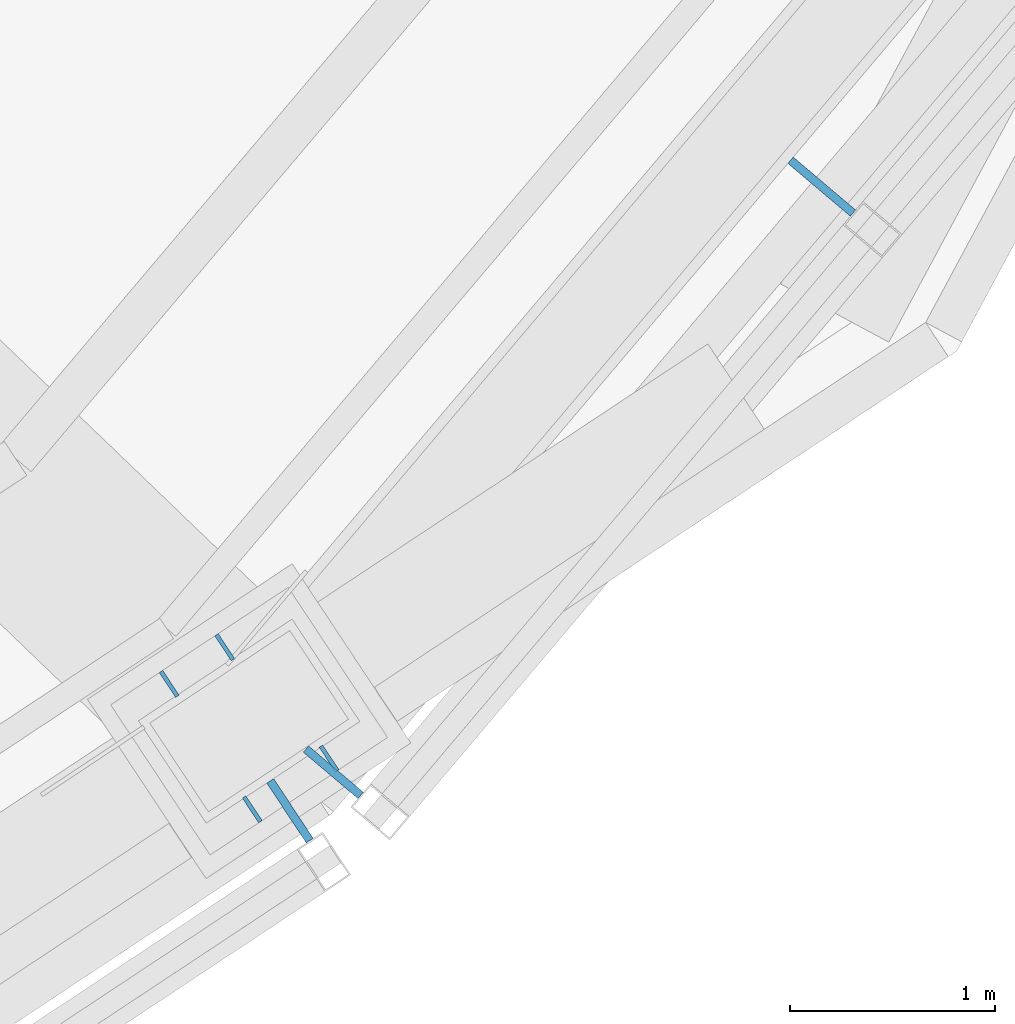
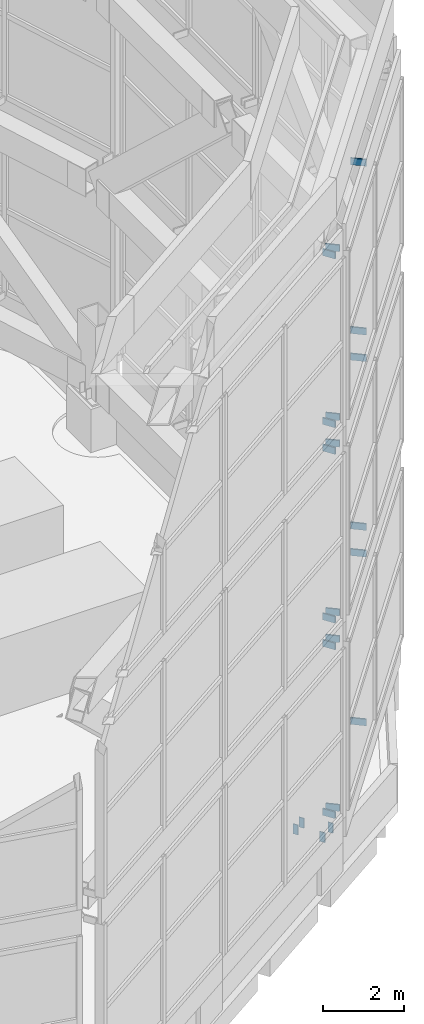
# One storey, part 35 of 46: 22 discrete accessories.
"""IFC4 building model written with IfcOpenShell, lengths in metres."""

from ifc_helpers import new_model, si_unit, direction, frame, origin, origin_2d, place, context, subcontext, project, spatial, rectangle, extrude, material, layer, layer_set, type_object, element, save


model = new_model("IFC4")

# Units and contexts
model_context = context("Model", 3, precision=1e-05, world=origin(), true_north=direction((0.0, 1.0)))
body_context = subcontext(model_context, "Body", "Model", "MODEL_VIEW")
ifc_project = project(units=[si_unit("LENGTHUNIT", "METRE"), si_unit("AREAUNIT", "SQUARE_METRE"), si_unit("VOLUMEUNIT", "CUBIC_METRE"), si_unit("PLANEANGLEUNIT", "RADIAN"), si_unit("MASSUNIT", "GRAM", prefix="KILO")], contexts=[model_context])

# Site, building, storey
site_placement = place(None, origin())
site = spatial("IfcSite", under=ifc_project, at=site_placement, CompositionType="ELEMENT")
building_placement = place(site_placement, origin())
building = spatial("IfcBuilding", under=site, at=building_placement, Name="Vanh Sen Convention Tower", CompositionType="ELEMENT")
storey_placement = place(building_placement, frame((0.0, 0.0, 305.0)))
storey = spatial("IfcBuildingStorey", under=building, at=storey_placement, Name="Roof level", CompositionType="ELEMENT", Elevation=305.0)

# Discrete accessories
ifc_material_1 = material(Name="Steel S355", Category="steel")
ifc_layer = layer(ifc_material_1, 0.02001953125)
ifc_layer_set = layer_set([ifc_layer], Name="Steel S355")
discrete_accessory_type_1 = type_object("IfcDiscreteAccessoryType", Name="Crown base plate stiffener 140 x 300 x 20", PredefinedType="USERDEFINED", material=ifc_layer_set)
for number, where, z_axis, x_axis, name in (
    (1, (13.77197265625, -12.989013671875, 1.34521484375), (0.0, 0.0, 1.0), (-0.551936985312, 0.833885822067, 0.0), "STIFFENER crown column 18 rib 1"),
    (2, (13.500732421875, -13.168212890625, 1.34521484375), (0.0, 0.0, 1.0), (-0.551936985312, 0.833885822067, 0.0), "STIFFENER crown column 18 rib 2"),
    (3, (14.28173828125, -13.532958984375, 1.34521484375), (0.0, 0.0, 1.0), (-0.551936985312, 0.833885822067, 0.0), "STIFFENER crown column 18 rib 3"),
    (4, (13.906494140625, -13.78125, 1.34521484375), (0.0, 0.0, 1.0), (-0.551936985312, 0.833885822067, 0.0), "STIFFENER crown column 18 rib 4"),
):
    element("IfcDiscreteAccessory", number, at=place(storey_placement, frame(where, z_axis=z_axis, x_axis=x_axis)), inside=storey, type_object=discrete_accessory_type_1, Name=name, ObjectType="STIFFENER", PredefinedType="USERDEFINED", context=body_context, shape_type="SweptSolid", body=[
        extrude(rectangle(XDim=0.14501953125, YDim=0.02001953125, at=origin_2d()), origin(), (0.0, 0.0, 1.0), 0.300048828125),
    ])
ifc_material_2 = material(Name="Steel S355", Category="steel")
discrete_accessory_type_2 = type_object("IfcDiscreteAccessoryType", Name="Crown screen bracket 40 x 200", PredefinedType="BRACKET", material=ifc_material_2)
for number, where, z_axis, x_axis, name in (
    (5, (14.0908203125, -13.7880859375, 2.044921875), (0.0, 0.0, 1.0), (0.551936985312, -0.833885822067, 0.0), "Crown screen bracket 17-1-3"),
    (6, (14.0908203125, -13.7880859375, 7.11328125), (0.0, 0.0, 1.0), (0.551936985312, -0.833885822067, 0.0), "Crown screen bracket 17-1-6"),
    (7, (14.0908203125, -13.7880859375, 7.9130859375), (0.0, 0.0, 1.0), (0.551936985312, -0.833885822067, 0.0), "Crown screen bracket 17-2-3"),
    (8, (14.0908203125, -13.7880859375, 12.98193359375), (0.0, 0.0, 1.0), (0.551936985312, -0.833885822067, 0.0), "Crown screen bracket 17-2-6"),
    (9, (14.0908203125, -13.7880859375, 13.78173828125), (0.0, 0.0, 1.0), (0.551936985312, -0.833885822067, 0.0), "Crown screen bracket 17-3-3"),
    (10, (14.0908203125, -13.7880859375, 18.85009765625), (0.0, 0.0, 1.0), (0.551936985312, -0.833885822067, 0.0), "Crown screen bracket 17-3-6"),
    (11, (14.302490234375, -13.60009765625, 2.044921875), (0.0, 0.0, 1.0), (0.763534609632, -0.64576690833, 0.0), "Crown screen bracket 18-1-1"),
):
    element("IfcDiscreteAccessory", number, at=place(storey_placement, frame(where, z_axis=z_axis, x_axis=x_axis)), inside=storey, type_object=discrete_accessory_type_2, Name=name, PredefinedType="BRACKET", context=body_context, shape_type="SweptSolid", body=[
        extrude(rectangle(XDim=0.35009765625, YDim=0.0400390625, at=origin_2d()), origin(), (0.0, 0.0, 1.0), 0.199951171875),
    ])
discrete_accessory_1_placement = place(storey_placement, frame((16.689208984375, -10.7392578125, 2.044921875), z_axis=(0.0, 0.0, 1.0), x_axis=(0.763534609632, -0.64576690833, 0.0)))
element("IfcDiscreteAccessory", 12, at=discrete_accessory_1_placement, inside=storey, type_object=discrete_accessory_type_2, Name="Crown screen bracket 18-1-2", PredefinedType="BRACKET", context=body_context, shape_type="SweptSolid", body=[
    extrude(rectangle(XDim=0.39990234375, YDim=0.0400390625, at=origin_2d()), origin(), (0.0, 0.0, 1.0), 0.199951171875),
])
discrete_accessory_2_placement = place(storey_placement, frame((14.302490234375, -13.60009765625, 7.11328125), z_axis=(0.0, 0.0, 1.0), x_axis=(0.763534609632, -0.64576690833, 0.0)))
element("IfcDiscreteAccessory", 13, at=discrete_accessory_2_placement, inside=storey, type_object=discrete_accessory_type_2, Name="Crown screen bracket 18-1-4", PredefinedType="BRACKET", context=body_context, shape_type="SweptSolid", body=[
    extrude(rectangle(XDim=0.35009765625, YDim=0.0400390625, at=origin_2d()), origin(), (0.0, 0.0, 1.0), 0.199951171875),
])
discrete_accessory_3_placement = place(storey_placement, frame((16.689208984375, -10.7392578125, 7.11328125), z_axis=(0.0, 0.0, 1.0), x_axis=(0.763534609632, -0.64576690833, 0.0)))
element("IfcDiscreteAccessory", 14, at=discrete_accessory_3_placement, inside=storey, type_object=discrete_accessory_type_2, Name="Crown screen bracket 18-1-5", PredefinedType="BRACKET", context=body_context, shape_type="SweptSolid", body=[
    extrude(rectangle(XDim=0.39990234375, YDim=0.0400390625, at=origin_2d()), origin(), (0.0, 0.0, 1.0), 0.199951171875),
])
discrete_accessory_4_placement = place(storey_placement, frame((14.302490234375, -13.60009765625, 7.9130859375), z_axis=(0.0, 0.0, 1.0), x_axis=(0.763534609632, -0.64576690833, 0.0)))
element("IfcDiscreteAccessory", 15, at=discrete_accessory_4_placement, inside=storey, type_object=discrete_accessory_type_2, Name="Crown screen bracket 18-2-1", PredefinedType="BRACKET", context=body_context, shape_type="SweptSolid", body=[
    extrude(rectangle(XDim=0.35009765625, YDim=0.0400390625, at=origin_2d()), origin(), (0.0, 0.0, 1.0), 0.199951171875),
])
discrete_accessory_5_placement = place(storey_placement, frame((16.689208984375, -10.7392578125, 7.9130859375), z_axis=(0.0, 0.0, 1.0), x_axis=(0.763534609632, -0.64576690833, 0.0)))
element("IfcDiscreteAccessory", 16, at=discrete_accessory_5_placement, inside=storey, type_object=discrete_accessory_type_2, Name="Crown screen bracket 18-2-2", PredefinedType="BRACKET", context=body_context, shape_type="SweptSolid", body=[
    extrude(rectangle(XDim=0.39990234375, YDim=0.0400390625, at=origin_2d()), origin(), (0.0, 0.0, 1.0), 0.199951171875),
])
discrete_accessory_6_placement = place(storey_placement, frame((14.302490234375, -13.60009765625, 12.98193359375), z_axis=(0.0, 0.0, 1.0), x_axis=(0.763534609632, -0.64576690833, 0.0)))
element("IfcDiscreteAccessory", 17, at=discrete_accessory_6_placement, inside=storey, type_object=discrete_accessory_type_2, Name="Crown screen bracket 18-2-4", PredefinedType="BRACKET", context=body_context, shape_type="SweptSolid", body=[
    extrude(rectangle(XDim=0.35009765625, YDim=0.0400390625, at=origin_2d()), origin(), (0.0, 0.0, 1.0), 0.199951171875),
])
discrete_accessory_7_placement = place(storey_placement, frame((16.689208984375, -10.7392578125, 12.98193359375), z_axis=(0.0, 0.0, 1.0), x_axis=(0.763534609632, -0.64576690833, 0.0)))
element("IfcDiscreteAccessory", 18, at=discrete_accessory_7_placement, inside=storey, type_object=discrete_accessory_type_2, Name="Crown screen bracket 18-2-5", PredefinedType="BRACKET", context=body_context, shape_type="SweptSolid", body=[
    extrude(rectangle(XDim=0.39990234375, YDim=0.0400390625, at=origin_2d()), origin(), (0.0, 0.0, 1.0), 0.199951171875),
])
discrete_accessory_8_placement = place(storey_placement, frame((14.302490234375, -13.60009765625, 13.78173828125), z_axis=(0.0, 0.0, 1.0), x_axis=(0.763534609632, -0.64576690833, 0.0)))
element("IfcDiscreteAccessory", 19, at=discrete_accessory_8_placement, inside=storey, type_object=discrete_accessory_type_2, Name="Crown screen bracket 18-3-1", PredefinedType="BRACKET", context=body_context, shape_type="SweptSolid", body=[
    extrude(rectangle(XDim=0.35009765625, YDim=0.0400390625, at=origin_2d()), origin(), (0.0, 0.0, 1.0), 0.199951171875),
])
discrete_accessory_9_placement = place(storey_placement, frame((16.689208984375, -10.7392578125, 13.78173828125), z_axis=(0.0, 0.0, 1.0), x_axis=(0.763534609632, -0.64576690833, 0.0)))
element("IfcDiscreteAccessory", 20, at=discrete_accessory_9_placement, inside=storey, type_object=discrete_accessory_type_2, Name="Crown screen bracket 18-3-2", PredefinedType="BRACKET", context=body_context, shape_type="SweptSolid", body=[
    extrude(rectangle(XDim=0.39990234375, YDim=0.0400390625, at=origin_2d()), origin(), (0.0, 0.0, 1.0), 0.199951171875),
])
discrete_accessory_10_placement = place(storey_placement, frame((14.302490234375, -13.60009765625, 18.85009765625), z_axis=(0.0, 0.0, 1.0), x_axis=(0.763534609632, -0.64576690833, 0.0)))
element("IfcDiscreteAccessory", 21, at=discrete_accessory_10_placement, inside=storey, type_object=discrete_accessory_type_2, Name="Crown screen bracket 18-3-4", PredefinedType="BRACKET", context=body_context, shape_type="SweptSolid", body=[
    extrude(rectangle(XDim=0.35009765625, YDim=0.0400390625, at=origin_2d()), origin(), (0.0, 0.0, 1.0), 0.199951171875),
])
discrete_accessory_11_placement = place(storey_placement, frame((16.689208984375, -10.7392578125, 18.85009765625), z_axis=(0.0, 0.0, 1.0), x_axis=(0.763534609632, -0.64576690833, 0.0)))
element("IfcDiscreteAccessory", 22, at=discrete_accessory_11_placement, inside=storey, type_object=discrete_accessory_type_2, Name="Crown screen bracket 18-3-5", PredefinedType="BRACKET", context=body_context, shape_type="SweptSolid", body=[
    extrude(rectangle(XDim=0.39990234375, YDim=0.0400390625, at=origin_2d()), origin(), (0.0, 0.0, 1.0), 0.199951171875),
])

save(model, "model.ifc")
